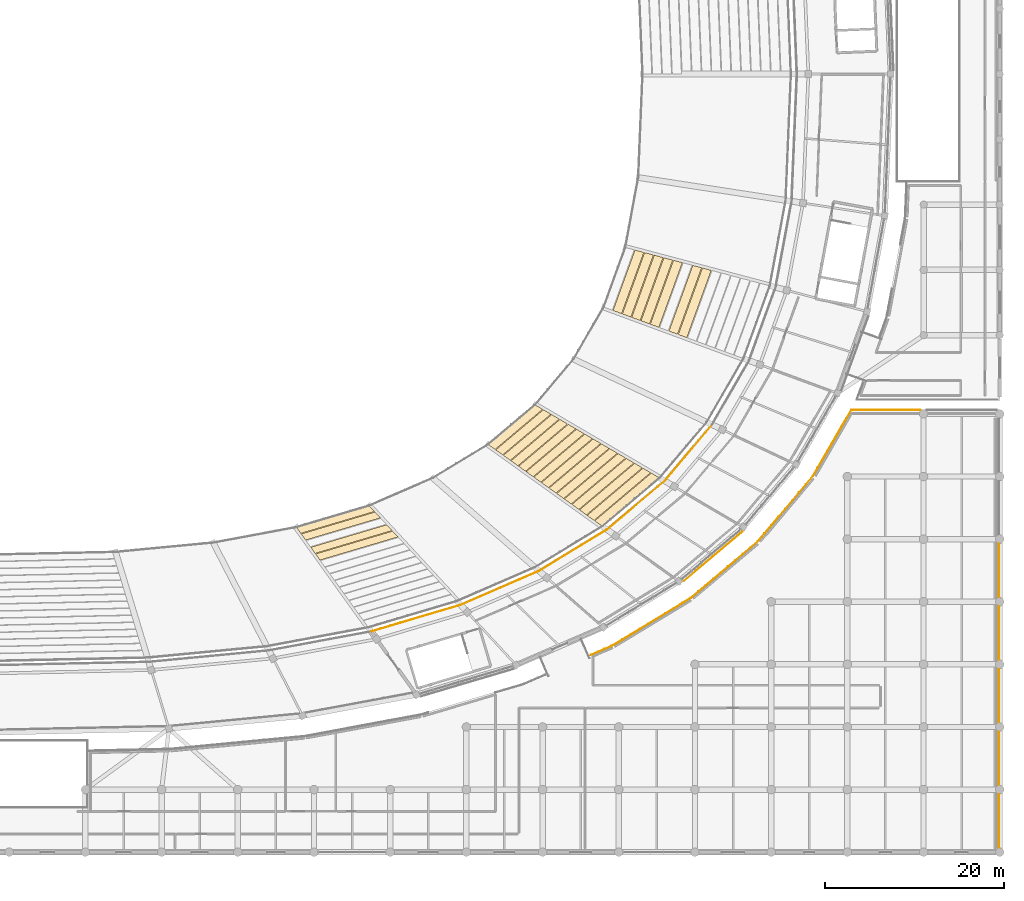
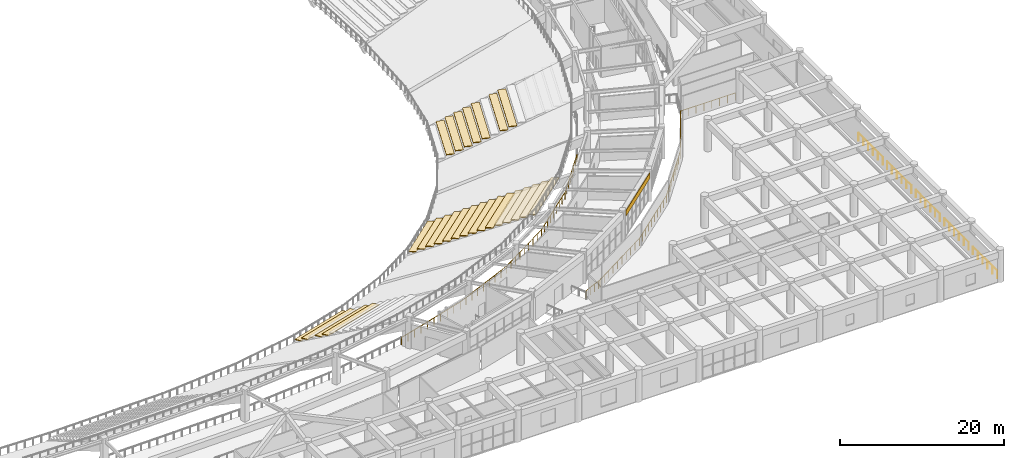
# One storey, part 125 of 137: 27 coverings, 7 railings.
"""IFC4 building model written with IfcOpenShell, lengths in metres."""

from ifc_helpers import new_model, si_unit, direction, frame, origin, origin_2d, place, context, subcontext, project, spatial, polyline, rectangle, circle, outline, extrude, material, layer, layer_set, type_object, element, save


model = new_model("IFC4")

# Units and contexts
model_context = context("Model", 3, precision=1e-05, world=origin(), true_north=direction((0.0, 1.0)))
body_context = subcontext(model_context, "Body", "Model", "MODEL_VIEW")
ifc_project = project(units=[si_unit("LENGTHUNIT", "METRE"), si_unit("AREAUNIT", "SQUARE_METRE"), si_unit("VOLUMEUNIT", "CUBIC_METRE"), si_unit("PLANEANGLEUNIT", "RADIAN"), si_unit("MASSUNIT", "GRAM", prefix="KILO")], contexts=[model_context])

# Site, building, storey
site_placement = place(None, origin())
site = spatial("IfcSite", under=ifc_project, at=site_placement, CompositionType="ELEMENT")
building_placement = place(site_placement, origin())
building = spatial("IfcBuilding", under=site, at=building_placement, Name="Mphavela Belvedere Stadium", CompositionType="ELEMENT")
storey_placement = place(building_placement, frame((0.0, 0.0, 19.199951171875)))
storey = spatial("IfcBuildingStorey", under=building, at=storey_placement, Name="L04", CompositionType="ELEMENT", Elevation=19.199951171875)

# Coverings
ifc_material_1 = material(Name="Carved classical limestone entablature frieze cladding", Category="masonry")
ifc_layer_1 = layer(ifc_material_1, 0.06005859375)
ifc_layer_set_1 = layer_set([ifc_layer_1], Name="Carved classical limestone entablature frieze cladding")
covering_type_1 = type_object("IfcCoveringType", Name="COV-FRIEZE-CLAD", PredefinedType="CLADDING", material=ifc_layer_set_1)
covering_1_placement = place(storey_placement, frame((197.953369140625, 33.0712890625, 3.594970703125), z_axis=(0.0, 0.0, 1.0), x_axis=(0.764246456939, 0.644924300253, 0.0)))
element("IfcCovering", 1, at=covering_1_placement, inside=storey, type_object=covering_type_1, Name="Classical entablature frieze cladding L04-43", PredefinedType="CLADDING", context=body_context, shape_type="SweptSolid", body=[
    extrude(rectangle(XDim=8.602294921875, YDim=0.06005859375, at=origin_2d()), origin(), (0.0, 0.0, 1.0), 0.85009765625),
])
ifc_material_2 = material(Name="Precast seating row terrazzo finish", Category="concrete")
ifc_layer_2 = layer(ifc_material_2, 0.1201171875)
ifc_layer_set_2 = layer_set([ifc_layer_2], Name="Precast seating row terrazzo finish")
covering_type_2 = type_object("IfcCoveringType", Name="COV-SEAT-ROW-U", PredefinedType="FLOORING", material=ifc_layer_set_2)
covering_2_placement = place(storey_placement, frame((0.0, 0.0, -3.4033203125)))
element("IfcCovering", 2, at=covering_2_placement, inside=storey, type_object=covering_type_2, Name="Upper stand seating row bench B40-R01", PredefinedType="FLOORING", context=body_context, shape_type="SweptSolid", body=[
    extrude(outline(polyline([(151.3642578125, 36.3271484375), (159.495849609375, 38.740966796875), (160.098876953125, 38.0869140625), (151.85693359375, 35.640380859375), (151.3642578125, 36.3271484375)])), origin(), (0.0, 0.0, 1.0), 0.1201171875),
])
covering_3_placement = place(storey_placement, frame((0.0, 0.0, -2.936767578125)))
element("IfcCovering", 3, at=covering_3_placement, inside=storey, type_object=covering_type_2, Name="Upper stand seating row bench B40-R02", PredefinedType="FLOORING", context=body_context, shape_type="SweptSolid", body=[
    extrude(outline(polyline([(151.89990234375, 35.580810546875), (160.1513671875, 38.030029296875), (160.754150390625, 37.376220703125), (152.392578125, 34.894287109375), (151.89990234375, 35.580810546875)])), origin(), (0.0, 0.0, 1.0), 0.1201171875),
])
covering_4_placement = place(storey_placement, frame((0.0, 0.0, -2.003173828125)))
element("IfcCovering", 4, at=covering_4_placement, inside=storey, type_object=covering_type_2, Name="Upper stand seating row bench B40-R04", PredefinedType="FLOORING", context=body_context, shape_type="SweptSolid", body=[
    extrude(outline(polyline([(152.970947265625, 34.088134765625), (161.4619140625, 36.6083984375), (162.06494140625, 35.95458984375), (153.4638671875, 33.401611328125), (152.970947265625, 34.088134765625)])), origin(), (0.0, 0.0, 1.0), 0.119873046875),
])
covering_5_placement = place(storey_placement, frame((0.0, 0.0, -1.53662109375)))
element("IfcCovering", 5, at=covering_5_placement, inside=storey, type_object=covering_type_2, Name="Upper stand seating row bench B40-R05", PredefinedType="FLOORING", context=body_context, shape_type="SweptSolid", body=[
    extrude(outline(polyline([(153.506591796875, 33.341796875), (162.117431640625, 35.897705078125), (162.72021484375, 35.243896484375), (153.99951171875, 32.6552734375), (153.506591796875, 33.341796875)])), origin(), (0.0, 0.0, 1.0), 0.119873046875),
])
covering_6_placement = place(storey_placement, frame((0.0, 0.0, -3.4033203125)))
element("IfcCovering", 6, at=covering_6_placement, inside=storey, type_object=covering_type_2, Name="Upper stand seating row bench B43-R01", PredefinedType="FLOORING", context=body_context, shape_type="SweptSolid", body=[
    extrude(outline(polyline([(172.798583984375, 45.587646484375), (178.043212890625, 50.013427734375), (178.8974609375, 49.51220703125), (173.581787109375, 45.026611328125), (172.798583984375, 45.587646484375)])), origin(), (0.0, 0.0, 1.0), 0.1201171875),
])
covering_7_placement = place(storey_placement, frame((0.0, 0.0, -2.936767578125)))
element("IfcCovering", 7, at=covering_7_placement, inside=storey, type_object=covering_type_2, Name="Upper stand seating row bench B43-R02", PredefinedType="FLOORING", context=body_context, shape_type="SweptSolid", body=[
    extrude(outline(polyline([(173.64990234375, 44.977783203125), (178.9716796875, 49.468505859375), (179.825927734375, 48.967529296875), (174.43310546875, 44.41650390625), (173.64990234375, 44.977783203125)])), origin(), (0.0, 0.0, 1.0), 0.1201171875),
])
covering_8_placement = place(storey_placement, frame((0.0, 0.0, -2.469970703125)))
element("IfcCovering", 8, at=covering_8_placement, inside=storey, type_object=covering_type_2, Name="Upper stand seating row bench B43-R03", PredefinedType="FLOORING", context=body_context, shape_type="SweptSolid", body=[
    extrude(outline(polyline([(174.501220703125, 44.367919921875), (179.900390625, 48.923828125), (180.754638671875, 48.422607421875), (175.2841796875, 43.806640625), (174.501220703125, 44.367919921875)])), origin(), (0.0, 0.0, 1.0), 0.1201171875),
])
covering_9_placement = place(storey_placement, frame((0.0, 0.0, -2.003173828125)))
element("IfcCovering", 9, at=covering_9_placement, inside=storey, type_object=covering_type_2, Name="Upper stand seating row bench B43-R04", PredefinedType="FLOORING", context=body_context, shape_type="SweptSolid", body=[
    extrude(outline(polyline([(175.352294921875, 43.7578125), (180.828857421875, 48.379150390625), (181.68310546875, 47.8779296875), (176.135498046875, 43.19677734375), (175.352294921875, 43.7578125)])), origin(), (0.0, 0.0, 1.0), 0.119873046875),
])
covering_10_placement = place(storey_placement, frame((0.0, 0.0, -1.53662109375)))
element("IfcCovering", 10, at=covering_10_placement, inside=storey, type_object=covering_type_2, Name="Upper stand seating row bench B43-R05", PredefinedType="FLOORING", context=body_context, shape_type="SweptSolid", body=[
    extrude(outline(polyline([(176.20361328125, 43.14794921875), (181.75732421875, 47.834228515625), (182.61181640625, 47.333251953125), (176.98681640625, 42.586669921875), (176.20361328125, 43.14794921875)])), origin(), (0.0, 0.0, 1.0), 0.119873046875),
])
covering_11_placement = place(storey_placement, frame((0.0, 0.0, -1.070068359375)))
element("IfcCovering", 11, at=covering_11_placement, inside=storey, type_object=covering_type_2, Name="Upper stand seating row bench B43-R06", PredefinedType="FLOORING", context=body_context, shape_type="SweptSolid", body=[
    extrude(outline(polyline([(177.054931640625, 42.537841796875), (182.68603515625, 47.28955078125), (183.540283203125, 46.788330078125), (177.838134765625, 41.976806640625), (177.054931640625, 42.537841796875)])), origin(), (0.0, 0.0, 1.0), 0.1201171875),
])
covering_12_placement = place(storey_placement, frame((0.0, 0.0, -0.603271484375)))
element("IfcCovering", 12, at=covering_12_placement, inside=storey, type_object=covering_type_2, Name="Upper stand seating row bench B43-R07", PredefinedType="FLOORING", context=body_context, shape_type="SweptSolid", body=[
    extrude(outline(polyline([(177.90625, 41.927978515625), (183.614501953125, 46.744873046875), (184.46875, 46.24365234375), (178.689453125, 41.36669921875), (177.90625, 41.927978515625)])), origin(), (0.0, 0.0, 1.0), 0.1201171875),
])
covering_13_placement = place(storey_placement, frame((0.0, 0.0, -0.13671875)))
element("IfcCovering", 13, at=covering_13_placement, inside=storey, type_object=covering_type_2, Name="Upper stand seating row bench B43-R08", PredefinedType="FLOORING", context=body_context, shape_type="SweptSolid", body=[
    extrude(outline(polyline([(178.757568359375, 41.318115234375), (184.54296875, 46.2001953125), (185.397216796875, 45.698974609375), (179.540771484375, 40.7568359375), (178.757568359375, 41.318115234375)])), origin(), (0.0, 0.0, 1.0), 0.1201171875),
])
covering_14_placement = place(storey_placement, frame((0.0, 0.0, 0.330078125)))
element("IfcCovering", 14, at=covering_14_placement, inside=storey, type_object=covering_type_2, Name="Upper stand seating row bench B43-R09", PredefinedType="FLOORING", context=body_context, shape_type="SweptSolid", body=[
    extrude(outline(polyline([(179.60888671875, 40.7080078125), (185.4716796875, 45.6552734375), (186.32568359375, 45.154052734375), (180.39208984375, 40.14697265625), (179.60888671875, 40.7080078125)])), origin(), (0.0, 0.0, 1.0), 0.119873046875),
])
covering_15_placement = place(storey_placement, frame((0.0, 0.0, 0.796630859375)))
element("IfcCovering", 15, at=covering_15_placement, inside=storey, type_object=covering_type_2, Name="Upper stand seating row bench B43-R10", PredefinedType="FLOORING", context=body_context, shape_type="SweptSolid", body=[
    extrude(outline(polyline([(180.460205078125, 40.09814453125), (186.400146484375, 45.110595703125), (187.25439453125, 44.609375), (181.243408203125, 39.537109375), (180.460205078125, 40.09814453125)])), origin(), (0.0, 0.0, 1.0), 0.1201171875),
])
covering_16_placement = place(storey_placement, frame((0.0, 0.0, 1.263427734375)))
element("IfcCovering", 16, at=covering_16_placement, inside=storey, type_object=covering_type_2, Name="Upper stand seating row bench B43-R11", PredefinedType="FLOORING", context=body_context, shape_type="SweptSolid", body=[
    extrude(outline(polyline([(181.311279296875, 39.48828125), (187.32861328125, 44.56591796875), (188.182861328125, 44.064697265625), (182.094482421875, 38.927001953125), (181.311279296875, 39.48828125)])), origin(), (0.0, 0.0, 1.0), 0.119873046875),
])
covering_17_placement = place(storey_placement, frame((0.0, 0.0, 1.72998046875)))
element("IfcCovering", 17, at=covering_17_placement, inside=storey, type_object=covering_type_2, Name="Upper stand seating row bench B43-R12", PredefinedType="FLOORING", context=body_context, shape_type="SweptSolid", body=[
    extrude(outline(polyline([(182.16259765625, 38.878173828125), (188.257080078125, 44.02099609375), (189.111572265625, 43.519775390625), (182.94580078125, 38.317138671875), (182.16259765625, 38.878173828125)])), origin(), (0.0, 0.0, 1.0), 0.1201171875),
])
covering_18_placement = place(storey_placement, frame((0.0, 0.0, 2.19677734375)))
element("IfcCovering", 18, at=covering_18_placement, inside=storey, type_object=covering_type_2, Name="Upper stand seating row bench B43-R13", PredefinedType="FLOORING", context=body_context, shape_type="SweptSolid", body=[
    extrude(outline(polyline([(183.013916015625, 38.268310546875), (189.185791015625, 43.476318359375), (190.0400390625, 42.97509765625), (183.797119140625, 37.70703125), (183.013916015625, 38.268310546875)])), origin(), (0.0, 0.0, 1.0), 0.119873046875),
])
covering_19_placement = place(storey_placement, frame((0.0, 0.0, 2.663330078125)))
element("IfcCovering", 19, at=covering_19_placement, inside=storey, type_object=covering_type_2, Name="Upper stand seating row bench B43-R14", PredefinedType="FLOORING", context=body_context, shape_type="SweptSolid", body=[
    extrude(outline(polyline([(183.865234375, 37.658203125), (190.1142578125, 42.931396484375), (190.968505859375, 42.430419921875), (184.6484375, 37.09716796875), (183.865234375, 37.658203125)])), origin(), (0.0, 0.0, 1.0), 0.1201171875),
])
covering_20_placement = place(storey_placement, frame((0.0, 0.0, 3.130126953125)))
element("IfcCovering", 20, at=covering_20_placement, inside=storey, type_object=covering_type_2, Name="Upper stand seating row bench B43-R15", PredefinedType="FLOORING", context=body_context, shape_type="SweptSolid", body=[
    extrude(outline(polyline([(184.716552734375, 37.04833984375), (191.042724609375, 42.38671875), (191.897216796875, 41.885498046875), (185.499755859375, 36.4873046875), (184.716552734375, 37.04833984375)])), origin(), (0.0, 0.0, 1.0), 0.119873046875),
])
covering_21_placement = place(storey_placement, frame((0.0, 0.0, -2.936767578125)))
element("IfcCovering", 21, at=covering_21_placement, inside=storey, type_object=covering_type_2, Name="Upper stand seating row bench B46-R02", PredefinedType="FLOORING", context=body_context, shape_type="SweptSolid", body=[
    extrude(outline(polyline([(186.764892578125, 60.561279296875), (189.21630859375, 67.318603515625), (190.20751953125, 67.055908203125), (187.72314453125, 60.20849609375), (186.764892578125, 60.561279296875)])), origin(), (0.0, 0.0, 1.0), 0.1201171875),
])
covering_22_placement = place(storey_placement, frame((0.0, 0.0, -2.469970703125)))
element("IfcCovering", 22, at=covering_22_placement, inside=storey, type_object=covering_type_2, Name="Upper stand seating row bench B46-R03", PredefinedType="FLOORING", context=body_context, shape_type="SweptSolid", body=[
    extrude(outline(polyline([(187.806396484375, 60.177734375), (190.293701171875, 67.032958984375), (191.28466796875, 66.770263671875), (188.764892578125, 59.82470703125), (187.806396484375, 60.177734375)])), origin(), (0.0, 0.0, 1.0), 0.1201171875),
])
covering_23_placement = place(storey_placement, frame((0.0, 0.0, -2.003173828125)))
element("IfcCovering", 23, at=covering_23_placement, inside=storey, type_object=covering_type_2, Name="Upper stand seating row bench B46-R04", PredefinedType="FLOORING", context=body_context, shape_type="SweptSolid", body=[
    extrude(outline(polyline([(188.84814453125, 59.7939453125), (191.370849609375, 66.747314453125), (192.36181640625, 66.484619140625), (189.806396484375, 59.44091796875), (188.84814453125, 59.7939453125)])), origin(), (0.0, 0.0, 1.0), 0.119873046875),
])
covering_24_placement = place(storey_placement, frame((0.0, 0.0, -1.53662109375)))
element("IfcCovering", 24, at=covering_24_placement, inside=storey, type_object=covering_type_2, Name="Upper stand seating row bench B46-R05", PredefinedType="FLOORING", context=body_context, shape_type="SweptSolid", body=[
    extrude(outline(polyline([(189.889892578125, 59.41015625), (192.447998046875, 66.461669921875), (193.439208984375, 66.198974609375), (190.84814453125, 59.05712890625), (189.889892578125, 59.41015625)])), origin(), (0.0, 0.0, 1.0), 0.119873046875),
])
covering_25_placement = place(storey_placement, frame((0.0, 0.0, -1.070068359375)))
element("IfcCovering", 25, at=covering_25_placement, inside=storey, type_object=covering_type_2, Name="Upper stand seating row bench B46-R06", PredefinedType="FLOORING", context=body_context, shape_type="SweptSolid", body=[
    extrude(outline(polyline([(190.931396484375, 59.0263671875), (193.525390625, 66.176025390625), (194.516357421875, 65.9130859375), (191.889892578125, 58.67333984375), (190.931396484375, 59.0263671875)])), origin(), (0.0, 0.0, 1.0), 0.1201171875),
])
covering_26_placement = place(storey_placement, frame((0.0, 0.0, -0.13671875)))
element("IfcCovering", 26, at=covering_26_placement, inside=storey, type_object=covering_type_2, Name="Upper stand seating row bench B46-R08", PredefinedType="FLOORING", context=body_context, shape_type="SweptSolid", body=[
    extrude(outline(polyline([(193.014892578125, 58.2587890625), (195.6796875, 65.604736328125), (196.6708984375, 65.341796875), (193.97314453125, 57.906005859375), (193.014892578125, 58.2587890625)])), origin(), (0.0, 0.0, 1.0), 0.1201171875),
])
covering_27_placement = place(storey_placement, frame((0.0, 0.0, 0.330078125)))
element("IfcCovering", 27, at=covering_27_placement, inside=storey, type_object=covering_type_2, Name="Upper stand seating row bench B46-R09", PredefinedType="FLOORING", context=body_context, shape_type="SweptSolid", body=[
    extrude(outline(polyline([(194.056396484375, 57.875244140625), (196.757080078125, 65.319091796875), (197.748046875, 65.05615234375), (195.014892578125, 57.522216796875), (194.056396484375, 57.875244140625)])), origin(), (0.0, 0.0, 1.0), 0.119873046875),
])

# Railings
ifc_material_3 = material(Name="Bronze and laminated glass stadium balustrade", Category="glass")
railing_type = type_object("IfcRailingType", Name="RAL-BALUSTRADE-1120", PredefinedType="BALUSTRADE", material=ifc_material_3)
railing_1_placement = place(storey_placement, frame((159.72705078125, 24.673583984375, 0.0)))
element("IfcRailing", 28, at=railing_1_placement, inside=storey, type_object=railing_type, Name="Upper bowl concourse balustrade L04-G5", PredefinedType="BALUSTRADE", context=body_context, shape_type="SweptSolid", body=[
    extrude(circle(Radius=0.02392578125, at=origin_2d()), frame((0.0, 0.0, 1.09619140625), z_axis=(0.958653749155, 0.284575102972, 0.0), x_axis=(-0.284575102972, 0.958653749155, 0.0)), (0.0, 0.0, 1.0), 10.43310546875),
    extrude(circle(Radius=0.02392578125, at=origin_2d()), frame((10.001708984375, 2.968994140625, 1.09619140625), z_axis=(0.917501847377, 0.39773151756, 0.0), x_axis=(-0.39773151756, 0.917501847377, 0.0)), (0.0, 0.0, 1.0), 9.552490234375),
    extrude(circle(Radius=0.02392578125, at=origin_2d()), frame((18.76611328125, 6.768310546875, 1.09619140625), z_axis=(0.85432046282, 0.519746617889, 0.0), x_axis=(-0.519746617889, 0.85432046282, 0.0)), (0.0, 0.0, 1.0), 8.892822265625),
    extrude(circle(Radius=0.02392578125, at=origin_2d()), frame((26.363525390625, 11.390380859375, 1.09619140625), z_axis=(0.764268762632, 0.644897866693, 0.0), x_axis=(-0.644897866693, 0.764268762632, 0.0)), (0.0, 0.0, 1.0), 8.440673828125),
    extrude(circle(Radius=0.02392578125, at=origin_2d()), frame((32.814453125, 16.833740234375, 1.09619140625), z_axis=(0.645166946233, 0.764041629421, 0.0), x_axis=(-0.764041629421, 0.645166946233, 0.0)), (0.0, 0.0, 1.0), 8.21923828125),
    extrude(circle(Radius=0.02099609375, at=origin_2d()), origin(), (0.0, 0.0, 1.0), 1.072021484375),
    extrude(circle(Radius=0.02099609375, at=origin_2d()), frame((1.111328125, 0.329833984375, 0.0)), (0.0, 0.0, 1.0), 1.072021484375),
    extrude(circle(Radius=0.02099609375, at=origin_2d()), frame((2.22265625, 0.65966796875, 0.0)), (0.0, 0.0, 1.0), 1.072021484375),
    extrude(circle(Radius=0.02099609375, at=origin_2d()), frame((3.333984375, 0.98974609375, 0.0)), (0.0, 0.0, 1.0), 1.072021484375),
    extrude(circle(Radius=0.02099609375, at=origin_2d()), frame((4.4453125, 1.319580078125, 0.0)), (0.0, 0.0, 1.0), 1.072021484375),
    extrude(circle(Radius=0.02099609375, at=origin_2d()), frame((5.556396484375, 1.6494140625, 0.0)), (0.0, 0.0, 1.0), 1.072021484375),
    extrude(circle(Radius=0.02099609375, at=origin_2d()), frame((6.667724609375, 1.979248046875, 0.0)), (0.0, 0.0, 1.0), 1.072021484375),
    extrude(circle(Radius=0.02099609375, at=origin_2d()), frame((7.779052734375, 2.309326171875, 0.0)), (0.0, 0.0, 1.0), 1.072021484375),
    extrude(circle(Radius=0.02099609375, at=origin_2d()), frame((8.890380859375, 2.63916015625, 0.0)), (0.0, 0.0, 1.0), 1.072021484375),
    extrude(circle(Radius=0.02099609375, at=origin_2d()), frame((10.001708984375, 2.968994140625, 0.0)), (0.0, 0.0, 1.0), 1.072021484375),
    extrude(circle(Radius=0.02099609375, at=origin_2d()), frame((11.09716796875, 3.44384765625, 0.0)), (0.0, 0.0, 1.0), 1.072021484375),
    extrude(circle(Radius=0.02099609375, at=origin_2d()), frame((12.19287109375, 3.9189453125, 0.0)), (0.0, 0.0, 1.0), 1.072021484375),
    extrude(circle(Radius=0.02099609375, at=origin_2d()), frame((13.288330078125, 4.393798828125, 0.0)), (0.0, 0.0, 1.0), 1.072021484375),
    extrude(circle(Radius=0.02099609375, at=origin_2d()), frame((14.3837890625, 4.86865234375, 0.0)), (0.0, 0.0, 1.0), 1.072021484375),
    extrude(circle(Radius=0.02099609375, at=origin_2d()), frame((15.4794921875, 5.343505859375, 0.0)), (0.0, 0.0, 1.0), 1.072021484375),
    extrude(circle(Radius=0.02099609375, at=origin_2d()), frame((16.574951171875, 5.818359375, 0.0)), (0.0, 0.0, 1.0), 1.072021484375),
    extrude(circle(Radius=0.02099609375, at=origin_2d()), frame((17.670654296875, 6.29345703125, 0.0)), (0.0, 0.0, 1.0), 1.072021484375),
    extrude(circle(Radius=0.02099609375, at=origin_2d()), frame((18.76611328125, 6.768310546875, 0.0)), (0.0, 0.0, 1.0), 1.072021484375),
    extrude(circle(Radius=0.02099609375, at=origin_2d()), frame((19.7158203125, 7.34619140625, 0.0)), (0.0, 0.0, 1.0), 1.072021484375),
    extrude(circle(Radius=0.02099609375, at=origin_2d()), frame((20.66552734375, 7.923828125, 0.0)), (0.0, 0.0, 1.0), 1.072021484375),
    extrude(circle(Radius=0.02099609375, at=origin_2d()), frame((21.615234375, 8.50146484375, 0.0)), (0.0, 0.0, 1.0), 1.072021484375),
    extrude(circle(Radius=0.02099609375, at=origin_2d()), frame((22.56494140625, 9.079345703125, 0.0)), (0.0, 0.0, 1.0), 1.072021484375),
    extrude(circle(Radius=0.02099609375, at=origin_2d()), frame((23.514404296875, 9.6572265625, 0.0)), (0.0, 0.0, 1.0), 1.072021484375),
    extrude(circle(Radius=0.02099609375, at=origin_2d()), frame((24.464111328125, 10.23486328125, 0.0)), (0.0, 0.0, 1.0), 1.072021484375),
    extrude(circle(Radius=0.02099609375, at=origin_2d()), frame((25.413818359375, 10.8125, 0.0)), (0.0, 0.0, 1.0), 1.072021484375),
    extrude(circle(Radius=0.02099609375, at=origin_2d()), frame((26.363525390625, 11.390380859375, 0.0)), (0.0, 0.0, 1.0), 1.072021484375),
    extrude(circle(Radius=0.02099609375, at=origin_2d()), frame((27.169921875, 12.07080078125, 0.0)), (0.0, 0.0, 1.0), 1.072021484375),
    extrude(circle(Radius=0.02099609375, at=origin_2d()), frame((27.976318359375, 12.751220703125, 0.0)), (0.0, 0.0, 1.0), 1.072021484375),
    extrude(circle(Radius=0.02099609375, at=origin_2d()), frame((28.78271484375, 13.431640625, 0.0)), (0.0, 0.0, 1.0), 1.072021484375),
    extrude(circle(Radius=0.02099609375, at=origin_2d()), frame((29.5888671875, 14.112060546875, 0.0)), (0.0, 0.0, 1.0), 1.072021484375),
    extrude(circle(Radius=0.02099609375, at=origin_2d()), frame((30.395263671875, 14.79248046875, 0.0)), (0.0, 0.0, 1.0), 1.072021484375),
    extrude(circle(Radius=0.02099609375, at=origin_2d()), frame((31.20166015625, 15.472900390625, 0.0)), (0.0, 0.0, 1.0), 1.072021484375),
    extrude(circle(Radius=0.02099609375, at=origin_2d()), frame((32.008056640625, 16.1533203125, 0.0)), (0.0, 0.0, 1.0), 1.072021484375),
    extrude(circle(Radius=0.02099609375, at=origin_2d()), frame((32.814453125, 16.833740234375, 0.0)), (0.0, 0.0, 1.0), 1.072021484375),
    extrude(circle(Radius=0.02099609375, at=origin_2d()), frame((33.572021484375, 17.73095703125, 0.0)), (0.0, 0.0, 1.0), 1.072021484375),
    extrude(circle(Radius=0.02099609375, at=origin_2d()), frame((34.32958984375, 18.6279296875, 0.0)), (0.0, 0.0, 1.0), 1.072021484375),
    extrude(circle(Radius=0.02099609375, at=origin_2d()), frame((35.087158203125, 19.525146484375, 0.0)), (0.0, 0.0, 1.0), 1.072021484375),
    extrude(circle(Radius=0.02099609375, at=origin_2d()), frame((35.844482421875, 20.422119140625, 0.0)), (0.0, 0.0, 1.0), 1.072021484375),
    extrude(circle(Radius=0.02099609375, at=origin_2d()), frame((36.60205078125, 21.3193359375, 0.0)), (0.0, 0.0, 1.0), 1.072021484375),
    extrude(circle(Radius=0.02099609375, at=origin_2d()), frame((37.359619140625, 22.21630859375, 0.0)), (0.0, 0.0, 1.0), 1.072021484375),
    extrude(circle(Radius=0.02099609375, at=origin_2d()), frame((38.1171875, 23.113525390625, 0.0)), (0.0, 0.0, 1.0), 1.072021484375),
])
railing_2_placement = place(storey_placement, frame((184.2744140625, 22.03759765625, 0.0)))
element("IfcRailing", 29, at=railing_2_placement, inside=storey, type_object=railing_type, Name="Peristyle wing gallery edge balustrade L04-07", PredefinedType="BALUSTRADE", context=body_context, shape_type="SweptSolid", body=[
    extrude(circle(Radius=0.02392578125, at=origin_2d()), frame((0.0, 0.0, 1.09619140625), z_axis=(0.917490104343, 0.397758605731, 0.0), x_axis=(-0.397758605731, 0.917490104343, 0.0)), (0.0, 0.0, 1.0), 2.5380859375),
    extrude(circle(Radius=0.02392578125, at=origin_2d()), frame((2.32861328125, 1.009521484375, 1.09619140625), z_axis=(0.887624752967, 0.460567365236, 0.0), x_axis=(-0.460567365236, 0.887624752967, 0.0)), (0.0, 0.0, 1.0), 0.313232421875),
    extrude(circle(Radius=0.02392578125, at=origin_2d()), frame((2.606689453125, 1.15380859375, 1.09619140625), z_axis=(0.853987904956, 0.520292858099, 0.0), x_axis=(-0.520292858099, 0.853987904956, 0.0)), (0.0, 0.0, 1.0), 10.074462890625),
    extrude(circle(Radius=0.02392578125, at=origin_2d()), frame((11.210205078125, 6.3955078125, 1.09619140625), z_axis=(0.764212542959, 0.644964486761, 0.0), x_axis=(-0.644964486761, 0.764212542959, 0.0)), (0.0, 0.0, 1.0), 9.765869140625),
    extrude(circle(Radius=0.02392578125, at=origin_2d()), frame((18.67333984375, 12.694091796875, 1.09619140625), z_axis=(0.645159914066, 0.764047567421, 0.0), x_axis=(-0.764047567421, 0.645159914066, 0.0)), (0.0, 0.0, 1.0), 9.544921875),
    extrude(circle(Radius=0.02392578125, at=origin_2d()), frame((24.831298828125, 19.98681640625, 1.09619140625), z_axis=(0.501496666229, 0.86515957705, 0.0), x_axis=(-0.86515957705, 0.501496666229, 0.0)), (0.0, 0.0, 1.0), 8.548095703125),
    extrude(circle(Radius=0.02392578125, at=origin_2d()), frame((29.1181640625, 27.38232421875, 1.09619140625), z_axis=(1.0, 0.0, 0.0), x_axis=(0.0, 1.0, 0.0)), (0.0, 0.0, 1.0), 7.73388671875),
    extrude(circle(Radius=0.02099609375, at=origin_2d()), origin(), (0.0, 0.0, 1.0), 1.072021484375),
    extrude(circle(Radius=0.02099609375, at=origin_2d()), frame((0.776123046875, 0.33642578125, 0.0)), (0.0, 0.0, 1.0), 1.072021484375),
    extrude(circle(Radius=0.02099609375, at=origin_2d()), frame((1.552490234375, 0.673095703125, 0.0)), (0.0, 0.0, 1.0), 1.072021484375),
    extrude(circle(Radius=0.02099609375, at=origin_2d()), frame((2.32861328125, 1.009521484375, 0.0)), (0.0, 0.0, 1.0), 1.072021484375),
    extrude(circle(Radius=0.02099609375, at=origin_2d()), frame((2.606689453125, 1.15380859375, 0.0)), (0.0, 0.0, 1.0), 1.072021484375),
    extrude(circle(Radius=0.02099609375, at=origin_2d()), frame((3.562744140625, 1.736328125, 0.0)), (0.0, 0.0, 1.0), 1.072021484375),
    extrude(circle(Radius=0.02099609375, at=origin_2d()), frame((4.5185546875, 2.318603515625, 0.0)), (0.0, 0.0, 1.0), 1.072021484375),
    extrude(circle(Radius=0.02099609375, at=origin_2d()), frame((5.474609375, 2.901123046875, 0.0)), (0.0, 0.0, 1.0), 1.072021484375),
    extrude(circle(Radius=0.02099609375, at=origin_2d()), frame((6.430419921875, 3.4833984375, 0.0)), (0.0, 0.0, 1.0), 1.072021484375),
    extrude(circle(Radius=0.02099609375, at=origin_2d()), frame((7.386474609375, 4.06591796875, 0.0)), (0.0, 0.0, 1.0), 1.072021484375),
    extrude(circle(Radius=0.02099609375, at=origin_2d()), frame((8.34228515625, 4.648193359375, 0.0)), (0.0, 0.0, 1.0), 1.072021484375),
    extrude(circle(Radius=0.02099609375, at=origin_2d()), frame((9.29833984375, 5.230712890625, 0.0)), (0.0, 0.0, 1.0), 1.072021484375),
    extrude(circle(Radius=0.02099609375, at=origin_2d()), frame((10.254150390625, 5.81298828125, 0.0)), (0.0, 0.0, 1.0), 1.072021484375),
    extrude(circle(Radius=0.02099609375, at=origin_2d()), frame((11.210205078125, 6.3955078125, 0.0)), (0.0, 0.0, 1.0), 1.072021484375),
    extrude(circle(Radius=0.02099609375, at=origin_2d()), frame((12.03955078125, 7.095458984375, 0.0)), (0.0, 0.0, 1.0), 1.072021484375),
    extrude(circle(Radius=0.02099609375, at=origin_2d()), frame((12.86865234375, 7.795166015625, 0.0)), (0.0, 0.0, 1.0), 1.072021484375),
    extrude(circle(Radius=0.02099609375, at=origin_2d()), frame((13.697998046875, 8.4951171875, 0.0)), (0.0, 0.0, 1.0), 1.072021484375),
    extrude(circle(Radius=0.02099609375, at=origin_2d()), frame((14.527099609375, 9.19482421875, 0.0)), (0.0, 0.0, 1.0), 1.072021484375),
    extrude(circle(Radius=0.02099609375, at=origin_2d()), frame((15.3564453125, 9.894775390625, 0.0)), (0.0, 0.0, 1.0), 1.072021484375),
    extrude(circle(Radius=0.02099609375, at=origin_2d()), frame((16.185546875, 10.594482421875, 0.0)), (0.0, 0.0, 1.0), 1.072021484375),
    extrude(circle(Radius=0.02099609375, at=origin_2d()), frame((17.014892578125, 11.29443359375, 0.0)), (0.0, 0.0, 1.0), 1.072021484375),
    extrude(circle(Radius=0.02099609375, at=origin_2d()), frame((17.843994140625, 11.994140625, 0.0)), (0.0, 0.0, 1.0), 1.072021484375),
    extrude(circle(Radius=0.02099609375, at=origin_2d()), frame((18.67333984375, 12.694091796875, 0.0)), (0.0, 0.0, 1.0), 1.072021484375),
    extrude(circle(Radius=0.02099609375, at=origin_2d()), frame((19.443115234375, 13.605712890625, 0.0)), (0.0, 0.0, 1.0), 1.072021484375),
    extrude(circle(Radius=0.02099609375, at=origin_2d()), frame((20.212890625, 14.517333984375, 0.0)), (0.0, 0.0, 1.0), 1.072021484375),
    extrude(circle(Radius=0.02099609375, at=origin_2d()), frame((20.982666015625, 15.428955078125, 0.0)), (0.0, 0.0, 1.0), 1.072021484375),
    extrude(circle(Radius=0.02099609375, at=origin_2d()), frame((21.75244140625, 16.34033203125, 0.0)), (0.0, 0.0, 1.0), 1.072021484375),
    extrude(circle(Radius=0.02099609375, at=origin_2d()), frame((22.52197265625, 17.251953125, 0.0)), (0.0, 0.0, 1.0), 1.072021484375),
    extrude(circle(Radius=0.02099609375, at=origin_2d()), frame((23.291748046875, 18.16357421875, 0.0)), (0.0, 0.0, 1.0), 1.072021484375),
    extrude(circle(Radius=0.02099609375, at=origin_2d()), frame((24.0615234375, 19.0751953125, 0.0)), (0.0, 0.0, 1.0), 1.072021484375),
    extrude(circle(Radius=0.02099609375, at=origin_2d()), frame((24.831298828125, 19.98681640625, 0.0)), (0.0, 0.0, 1.0), 1.072021484375),
    extrude(circle(Radius=0.02099609375, at=origin_2d()), frame((25.3671875, 20.9111328125, 0.0)), (0.0, 0.0, 1.0), 1.072021484375),
    extrude(circle(Radius=0.02099609375, at=origin_2d()), frame((25.903076171875, 21.835693359375, 0.0)), (0.0, 0.0, 1.0), 1.072021484375),
    extrude(circle(Radius=0.02099609375, at=origin_2d()), frame((26.43896484375, 22.76025390625, 0.0)), (0.0, 0.0, 1.0), 1.072021484375),
    extrude(circle(Radius=0.02099609375, at=origin_2d()), frame((26.974609375, 23.6845703125, 0.0)), (0.0, 0.0, 1.0), 1.072021484375),
    extrude(circle(Radius=0.02099609375, at=origin_2d()), frame((27.510498046875, 24.60888671875, 0.0)), (0.0, 0.0, 1.0), 1.072021484375),
    extrude(circle(Radius=0.02099609375, at=origin_2d()), frame((28.04638671875, 25.533447265625, 0.0)), (0.0, 0.0, 1.0), 1.072021484375),
    extrude(circle(Radius=0.02099609375, at=origin_2d()), frame((28.582275390625, 26.4580078125, 0.0)), (0.0, 0.0, 1.0), 1.072021484375),
    extrude(circle(Radius=0.02099609375, at=origin_2d()), frame((29.1181640625, 27.38232421875, 0.0)), (0.0, 0.0, 1.0), 1.072021484375),
    extrude(circle(Radius=0.02099609375, at=origin_2d()), frame((30.222900390625, 27.38232421875, 0.0)), (0.0, 0.0, 1.0), 1.072021484375),
    extrude(circle(Radius=0.02099609375, at=origin_2d()), frame((31.327880859375, 27.38232421875, 0.0)), (0.0, 0.0, 1.0), 1.072021484375),
    extrude(circle(Radius=0.02099609375, at=origin_2d()), frame((32.4326171875, 27.38232421875, 0.0)), (0.0, 0.0, 1.0), 1.072021484375),
    extrude(circle(Radius=0.02099609375, at=origin_2d()), frame((33.53759765625, 27.38232421875, 0.0)), (0.0, 0.0, 1.0), 1.072021484375),
    extrude(circle(Radius=0.02099609375, at=origin_2d()), frame((34.642333984375, 27.38232421875, 0.0)), (0.0, 0.0, 1.0), 1.072021484375),
    extrude(circle(Radius=0.02099609375, at=origin_2d()), frame((35.747314453125, 27.38232421875, 0.0)), (0.0, 0.0, 1.0), 1.072021484375),
    extrude(circle(Radius=0.02099609375, at=origin_2d()), frame((36.85205078125, 27.38232421875, 0.0)), (0.0, 0.0, 1.0), 1.072021484375),
])
for number, where, name in (
    (30, (229.919921875, 34.45654296875, 0.0), "Peristyle wing gallery edge balustrade L04-11"),
    (31, (229.919921875, 27.45654296875, 0.0), "Peristyle wing gallery edge balustrade L04-12"),
    (32, (229.919921875, 20.45654296875, 0.0), "Peristyle wing gallery edge balustrade L04-13"),
    (33, (229.919921875, 13.45654296875, 0.0), "Peristyle wing gallery edge balustrade L04-14"),
    (34, (229.919921875, 6.45654296875, 0.0), "Peristyle wing gallery edge balustrade L04-15"),
):
    element("IfcRailing", number, at=place(storey_placement, frame(where)), inside=storey, type_object=railing_type, Name=name, PredefinedType="BALUSTRADE", context=body_context, shape_type="SweptSolid", body=[
        extrude(circle(Radius=0.02392578125, at=origin_2d()), frame((0.0, 0.0, 1.09619140625), z_axis=(0.0, -1.0, 0.0), x_axis=(1.0, 0.0, 0.0)), (0.0, 0.0, 1.0), 5.9130859375),
        extrude(circle(Radius=0.02099609375, at=origin_2d()), origin(), (0.0, 0.0, 1.0), 1.072021484375),
        extrude(circle(Radius=0.02099609375, at=origin_2d()), frame((0.0, -1.1826171875, 0.0)), (0.0, 0.0, 1.0), 1.072021484375),
        extrude(circle(Radius=0.02099609375, at=origin_2d()), frame((0.0, -2.365234375, 0.0)), (0.0, 0.0, 1.0), 1.072021484375),
        extrude(circle(Radius=0.02099609375, at=origin_2d()), frame((0.0, -3.5478515625, 0.0)), (0.0, 0.0, 1.0), 1.072021484375),
        extrude(circle(Radius=0.02099609375, at=origin_2d()), frame((0.0, -4.73046875, 0.0)), (0.0, 0.0, 1.0), 1.072021484375),
        extrude(circle(Radius=0.02099609375, at=origin_2d()), frame((0.0, -5.9130859375, 0.0)), (0.0, 0.0, 1.0), 1.072021484375),
    ])

save(model, "model.ifc")
